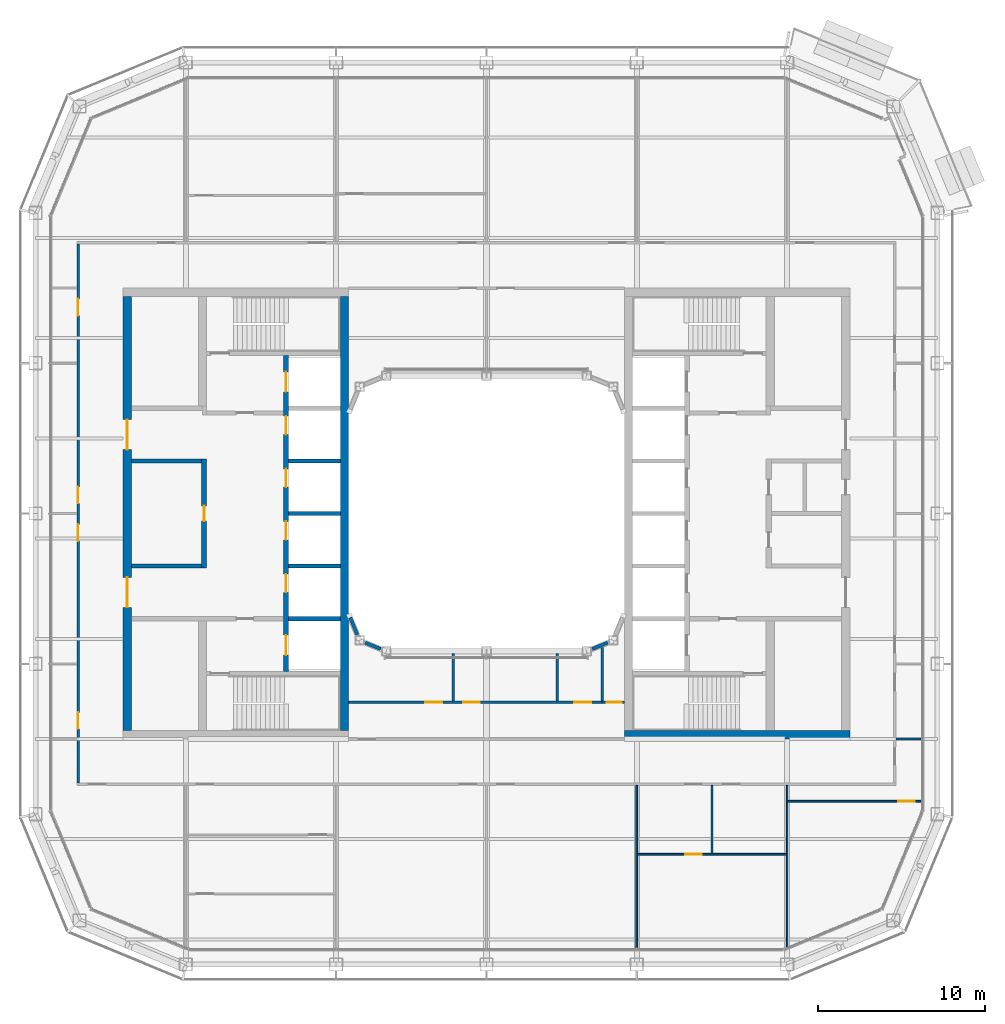
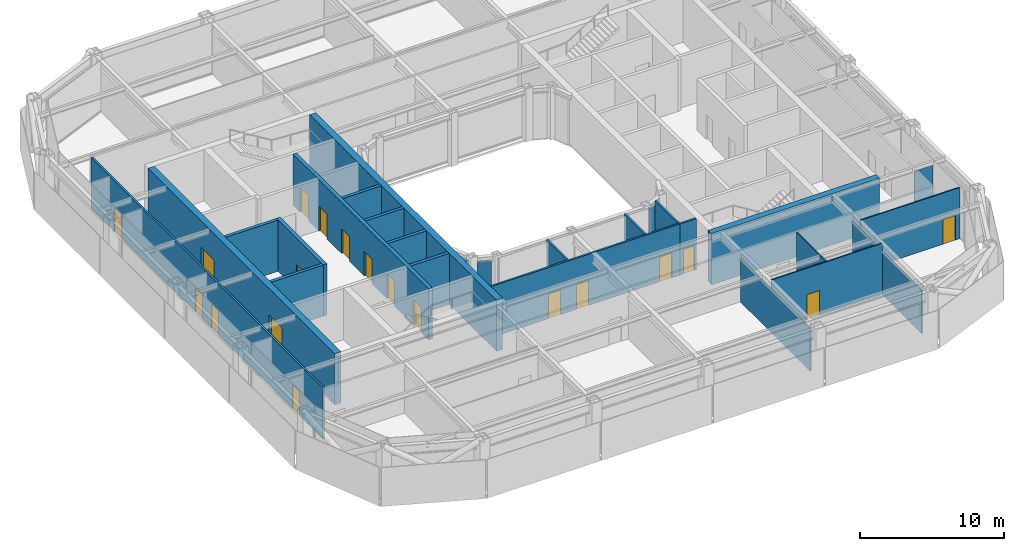
# One storey, part 13 of 23: 26 walls, 19 doors, 19 openings.
"""IFC4 building model written with IfcOpenShell, lengths in metres."""

from ifc_helpers import new_model, si_unit, direction, frame, frame_2d, origin, place, context, subcontext, project, spatial, rectangle, extrude, material, layer, layer_set, type_object, element, fill, save


model = new_model("IFC4")

# Units and contexts
model_context = context("Model", 3, precision=1e-05, world=origin(), true_north=direction((0.0, 1.0)))
body_context = subcontext(model_context, "Body", "Model", "MODEL_VIEW")
ifc_project = project(units=[si_unit("LENGTHUNIT", "METRE"), si_unit("AREAUNIT", "SQUARE_METRE"), si_unit("VOLUMEUNIT", "CUBIC_METRE"), si_unit("PLANEANGLEUNIT", "RADIAN"), si_unit("MASSUNIT", "GRAM", prefix="KILO")], contexts=[model_context])

# Site, building, storey
site_placement = place(None, origin())
site = spatial("IfcSite", under=ifc_project, at=site_placement, CompositionType="ELEMENT")
building_placement = place(site_placement, origin())
building = spatial("IfcBuilding", under=site, at=building_placement, Name="Siwar Civic Tower", CompositionType="ELEMENT")
storey_placement = place(building_placement, frame((0.0, 0.0, 260.199951171875)))
storey = spatial("IfcBuildingStorey", under=building, at=storey_placement, Name="L56", CompositionType="ELEMENT", Elevation=260.199951171875)

# Wall, opening, door
ifc_material_1 = material(Name="Gypsum board on steel studs", Category="steel")
ifc_layer_1 = layer(ifc_material_1, 0.14990234375)
ifc_layer_set_1 = layer_set([ifc_layer_1], Name="Gypsum board on steel studs")
wall_type_1 = type_object("IfcWallType", Name="COMPARTMENT PARTITION 150 EI 60", PredefinedType="PARTITIONING", material=ifc_layer_set_1)
wall_1_placement = place(storey_placement, frame((6.919921875, -11.300048828125, 0.0), z_axis=(0.0, 0.0, 1.0), x_axis=(1.0, 0.0, 0.0)))
wall_1 = element("IfcWall", 1, at=wall_1_placement, inside=storey, type_object=wall_type_1, Name="L56/wall/P10", PredefinedType="PARTITIONING", context=body_context, shape_type="SweptSolid", body=[
    extrude(rectangle(XDim=1.330078125, YDim=0.14990234375, at=frame_2d((0.6650390625, 0.0))), origin(), (0.0, 0.0, 1.0), 4.35009765625),
])
opening_1_placement = place(wall_1_placement, frame((0.280029296875, 0.0, 0.0)))
opening_1 = element("IfcOpeningElement", 2, at=opening_1_placement, cuts=wall_1, Name="Opening D4", PredefinedType="OPENING", context=body_context, shape_type="SweptSolid", body=[
    extrude(rectangle(XDim=0.89990234375, YDim=2.10009765625, at=frame_2d((0.449951171875, 1.050048828125))), frame((0.0, 0.0849609375, 0.0), z_axis=(0.0, -1.0, 0.0), x_axis=(1.0, 0.0, 0.0)), (0.0, 0.0, 1.0), 0.169921875),
])
ifc_material_2 = material(Name="Timber, painted", Category="wood")
door_type_1 = type_object("IfcDoorType", Name="DOOR 900 X 2100 FD60", OperationType="SINGLE_SWING_LEFT", PredefinedType="DOOR", material=ifc_material_2)
door_1_placement = place(opening_1_placement, origin())
door_1 = element("IfcDoor", 3, at=door_1_placement, inside=storey, type_object=door_type_1, Name="L56-D34", OperationType="SINGLE_SWING_RIGHT", OverallHeight=2.10009765625, OverallWidth=0.89990234375, PredefinedType="DOOR", context=body_context, shape_type="SweptSolid", body=[
    extrude(rectangle(XDim=0.89990234375, YDim=2.10009765625, at=frame_2d((0.449951171875, 1.050048828125))), frame((0.0, 0.02490234375, 0.0), z_axis=(0.0, -1.0, 0.0), x_axis=(1.0, 0.0, 0.0)), (0.0, 0.0, 1.0), 0.050048828125),
])
fill(opening_1, door_1)

# Walls
wall_2_placement = place(storey_placement, frame((6.919921875, -11.22509765625, 0.0), z_axis=(0.0, 0.0, 1.0), x_axis=(0.0, 1.0, 0.0)))
element("IfcWall", 4, at=wall_2_placement, inside=storey, type_object=wall_type_1, Name="L56/wall/P33", PredefinedType="PARTITIONING", context=body_context, shape_type="SweptSolid", body=[
    extrude(rectangle(XDim=3.196044921875, YDim=0.14990234375, at=frame_2d((1.59814453125, 0.0))), origin(), (0.0, 0.0, 1.0), 4.35009765625),
])
ifc_material_3 = material(Name="Concrete C60/75", Category="concrete")
ifc_layer_2 = layer(ifc_material_3, 0.25)
ifc_layer_set_2 = layer_set([ifc_layer_2], Name="Concrete C60/75")
wall_type_2 = type_object("IfcWallType", Name="CORE-WALL-RC250", PredefinedType="SHEAR", material=ifc_layer_set_2)
for number, where, z_axis, x_axis, name in (
    (5, (-17.050048828125, 3.14990234375, 0.0), (0.0, 0.0, 1.0), (-1.0, 0.0, 0.0), "Core wall W"),
    (6, (-17.050048828125, -3.14990234375, 0.0), (0.0, 0.0, 1.0), (-1.0, 0.0, 0.0), "Core wall W"),
):
    element("IfcWall", number, at=place(storey_placement, frame(where, z_axis=z_axis, x_axis=x_axis)), inside=storey, type_object=wall_type_2, Name=name, PredefinedType="SHEAR", context=body_context, shape_type="SweptSolid", body=[
        extrude(rectangle(XDim=4.199951171875, YDim=0.25, at=frame_2d((2.10009765625, 0.0))), origin(), (0.0, 0.0, 1.0), 4.35009765625),
    ])
for number, where, z_axis, x_axis, name in (
    (7, (-8.75, 0.0, 0.0), (0.0, 0.0, 1.0), (-1.0, 0.0, 0.0), "Core wall W"),
    (8, (-8.75, 3.14990234375, 0.0), (0.0, 0.0, 1.0), (-1.0, 0.0, 0.0), "Core wall W"),
    (9, (-8.75, -3.14990234375, 0.0), (0.0, 0.0, 1.0), (-1.0, 0.0, 0.0), "Core wall W"),
    (10, (-8.75, -6.300048828125, 0.0), (0.0, 0.0, 1.0), (-1.0, 0.0, 0.0), "Core wall W"),
):
    element("IfcWall", number, at=place(storey_placement, frame(where, z_axis=z_axis, x_axis=x_axis)), inside=storey, type_object=wall_type_2, Name=name, PredefinedType="SHEAR", context=body_context, shape_type="SweptSolid", body=[
        extrude(rectangle(XDim=3.10009765625, YDim=0.25, at=frame_2d((1.550048828125, 0.0))), origin(), (0.0, 0.0, 1.0), 4.35009765625),
    ])

# Wall, openings, doors
ifc_material_4 = material(Name="Concrete C60/75", Category="concrete")
ifc_layer_3 = layer(ifc_material_4, 0.300048828125)
ifc_layer_set_3 = layer_set([ifc_layer_3], Name="Concrete C60/75")
wall_type_3 = type_object("IfcWallType", Name="CORE-WALL-RC300", PredefinedType="SHEAR", material=ifc_layer_set_3)
wall_3_placement = place(storey_placement, frame((-12.0, -9.449951171875, 0.0), z_axis=(0.0, 0.0, 1.0), x_axis=(0.0, 1.0, 0.0)))
wall_3 = element("IfcWall", 11, at=wall_3_placement, inside=storey, type_object=wall_type_3, Name="Core wall W", PredefinedType="SHEAR", context=body_context, shape_type="SweptSolid", body=[
    extrude(rectangle(XDim=18.89990234375, YDim=0.300048828125, at=frame_2d((9.449951171875, 0.0))), origin(), (0.0, 0.0, 1.0), 4.35009765625),
])
opening_2_placement = place(wall_3_placement, frame((4.72509765625, 0.0, 0.0)))
opening_2 = element("IfcOpeningElement", 12, at=opening_2_placement, cuts=wall_3, Name="Opening L56-CW07", PredefinedType="OPENING", context=body_context, shape_type="SweptSolid", body=[
    extrude(rectangle(XDim=1.10009765625, YDim=2.10009765625, at=frame_2d((0.550048828125, 1.050048828125))), frame((0.0, 0.16015625, 0.0), z_axis=(0.0, -1.0, 0.0), x_axis=(1.0, 0.0, 0.0)), (0.0, 0.0, 1.0), 0.320068359375),
])
opening_3_placement = place(wall_3_placement, frame((7.875, 0.0, 0.0)))
opening_3 = element("IfcOpeningElement", 13, at=opening_3_placement, cuts=wall_3, Name="Opening L56-CW08", PredefinedType="OPENING", context=body_context, shape_type="SweptSolid", body=[
    extrude(rectangle(XDim=1.10009765625, YDim=2.10009765625, at=frame_2d((0.550048828125, 1.050048828125))), frame((0.0, 0.16015625, 0.0), z_axis=(0.0, -1.0, 0.0), x_axis=(1.0, 0.0, 0.0)), (0.0, 0.0, 1.0), 0.320068359375),
])
opening_4_placement = place(wall_3_placement, frame((11.02490234375, 0.0, 0.0)))
opening_4 = element("IfcOpeningElement", 14, at=opening_4_placement, cuts=wall_3, Name="Opening L56-CW09", PredefinedType="OPENING", context=body_context, shape_type="SweptSolid", body=[
    extrude(rectangle(XDim=1.10009765625, YDim=2.10009765625, at=frame_2d((0.550048828125, 1.050048828125))), frame((0.0, 0.16015625, 0.0), z_axis=(0.0, -1.0, 0.0), x_axis=(1.0, 0.0, 0.0)), (0.0, 0.0, 1.0), 0.320068359375),
])
opening_5_placement = place(wall_3_placement, frame((14.175048828125, 0.0, 0.0)))
opening_5 = element("IfcOpeningElement", 15, at=opening_5_placement, cuts=wall_3, Name="Opening L56-CW10", PredefinedType="OPENING", context=body_context, shape_type="SweptSolid", body=[
    extrude(rectangle(XDim=1.10009765625, YDim=2.10009765625, at=frame_2d((0.550048828125, 1.050048828125))), frame((0.0, 0.16015625, 0.0), z_axis=(0.0, -1.0, 0.0), x_axis=(1.0, 0.0, 0.0)), (0.0, 0.0, 1.0), 0.320068359375),
])
opening_6_placement = place(wall_3_placement, frame((16.72509765625, 0.0, 0.0)))
opening_6 = element("IfcOpeningElement", 16, at=opening_6_placement, cuts=wall_3, Name="Opening L56-CW11", PredefinedType="OPENING", context=body_context, shape_type="SweptSolid", body=[
    extrude(rectangle(XDim=1.199951171875, YDim=2.10009765625, at=frame_2d((0.60009765625, 1.050048828125))), frame((0.0, 0.16015625, 0.0), z_axis=(0.0, -1.0, 0.0), x_axis=(1.0, 0.0, 0.0)), (0.0, 0.0, 1.0), 0.320068359375),
])
opening_7_placement = place(wall_3_placement, frame((0.97509765625, 0.0, 0.0)))
opening_7 = element("IfcOpeningElement", 17, at=opening_7_placement, cuts=wall_3, Name="Opening L56-CW12", PredefinedType="OPENING", context=body_context, shape_type="SweptSolid", body=[
    extrude(rectangle(XDim=1.199951171875, YDim=2.10009765625, at=frame_2d((0.60009765625, 1.050048828125))), frame((0.0, 0.16015625, 0.0), z_axis=(0.0, -1.0, 0.0), x_axis=(1.0, 0.0, 0.0)), (0.0, 0.0, 1.0), 0.320068359375),
])
ifc_material_5 = material(Name="Steel door leaf", Category="steel")
door_type_2 = type_object("IfcDoorType", Name="CORE-DOOR-LD", OperationType="DOUBLE_DOOR_SLIDING", PredefinedType="DOOR", material=ifc_material_5)
door_2_placement = place(opening_2_placement, origin())
door_2 = element("IfcDoor", 18, at=door_2_placement, inside=storey, type_object=door_type_2, Name="Landing door HR1 L56-CW07", OperationType="DOUBLE_DOOR_SLIDING", OverallHeight=2.10009765625, OverallWidth=1.10009765625, PredefinedType="DOOR", context=body_context, shape_type="SweptSolid", body=[
    extrude(rectangle(XDim=1.10009765625, YDim=2.10009765625, at=frame_2d((0.550048828125, 1.050048828125))), frame((0.0, 0.02490234375, 0.0), z_axis=(0.0, -1.0, 0.0), x_axis=(1.0, 0.0, 0.0)), (0.0, 0.0, 1.0), 0.050048828125),
])
fill(opening_2, door_2)
door_3_placement = place(opening_3_placement, origin())
door_3 = element("IfcDoor", 19, at=door_3_placement, inside=storey, type_object=door_type_2, Name="Landing door HR2 L56-CW08", OperationType="DOUBLE_DOOR_SLIDING", OverallHeight=2.10009765625, OverallWidth=1.10009765625, PredefinedType="DOOR", context=body_context, shape_type="SweptSolid", body=[
    extrude(rectangle(XDim=1.10009765625, YDim=2.10009765625, at=frame_2d((0.550048828125, 1.050048828125))), frame((0.0, 0.02490234375, 0.0), z_axis=(0.0, -1.0, 0.0), x_axis=(1.0, 0.0, 0.0)), (0.0, 0.0, 1.0), 0.050048828125),
])
fill(opening_3, door_3)
door_4_placement = place(opening_4_placement, origin())
door_4 = element("IfcDoor", 20, at=door_4_placement, inside=storey, type_object=door_type_2, Name="Landing door HR3 L56-CW09", OperationType="DOUBLE_DOOR_SLIDING", OverallHeight=2.10009765625, OverallWidth=1.10009765625, PredefinedType="DOOR", context=body_context, shape_type="SweptSolid", body=[
    extrude(rectangle(XDim=1.10009765625, YDim=2.10009765625, at=frame_2d((0.550048828125, 1.050048828125))), frame((0.0, 0.02490234375, 0.0), z_axis=(0.0, -1.0, 0.0), x_axis=(1.0, 0.0, 0.0)), (0.0, 0.0, 1.0), 0.050048828125),
])
fill(opening_4, door_4)
door_5_placement = place(opening_5_placement, origin())
door_5 = element("IfcDoor", 21, at=door_5_placement, inside=storey, type_object=door_type_2, Name="Landing door HR4 L56-CW10", OperationType="DOUBLE_DOOR_SLIDING", OverallHeight=2.10009765625, OverallWidth=1.10009765625, PredefinedType="DOOR", context=body_context, shape_type="SweptSolid", body=[
    extrude(rectangle(XDim=1.10009765625, YDim=2.10009765625, at=frame_2d((0.550048828125, 1.050048828125))), frame((0.0, 0.02490234375, 0.0), z_axis=(0.0, -1.0, 0.0), x_axis=(1.0, 0.0, 0.0)), (0.0, 0.0, 1.0), 0.050048828125),
])
fill(opening_5, door_5)
ifc_material_6 = material(Name="Steel door leaf", Category="steel")
door_type_3 = type_object("IfcDoorType", Name="CORE-DOOR-LDW", OperationType="DOUBLE_DOOR_SLIDING", PredefinedType="DOOR", material=ifc_material_6)
door_6_placement = place(opening_6_placement, origin())
door_6 = element("IfcDoor", 22, at=door_6_placement, inside=storey, type_object=door_type_3, Name="Landing door FF1 L56-CW11", OperationType="DOUBLE_DOOR_SLIDING", OverallHeight=2.10009765625, OverallWidth=1.199951171875, PredefinedType="DOOR", context=body_context, shape_type="SweptSolid", body=[
    extrude(rectangle(XDim=1.199951171875, YDim=2.10009765625, at=frame_2d((0.60009765625, 1.050048828125))), frame((0.0, 0.02490234375, 0.0), z_axis=(0.0, -1.0, 0.0), x_axis=(1.0, 0.0, 0.0)), (0.0, 0.0, 1.0), 0.050048828125),
])
fill(opening_6, door_6)
door_7_placement = place(opening_7_placement, origin())
door_7 = element("IfcDoor", 23, at=door_7_placement, inside=storey, type_object=door_type_3, Name="Landing door SV1 L56-CW12", OperationType="DOUBLE_DOOR_SLIDING", OverallHeight=2.10009765625, OverallWidth=1.199951171875, PredefinedType="DOOR", context=body_context, shape_type="SweptSolid", body=[
    extrude(rectangle(XDim=1.199951171875, YDim=2.10009765625, at=frame_2d((0.60009765625, 1.050048828125))), frame((0.0, 0.02490234375, 0.0), z_axis=(0.0, -1.0, 0.0), x_axis=(1.0, 0.0, 0.0)), (0.0, 0.0, 1.0), 0.050048828125),
])
fill(opening_7, door_7)

# Wall, opening, door
wall_4_placement = place(storey_placement, frame((-16.89990234375, -3.27490234375, 0.0), z_axis=(0.0, 0.0, 1.0), x_axis=(0.0, 1.0, 0.0)))
wall_4 = element("IfcWall", 24, at=wall_4_placement, inside=storey, type_object=wall_type_3, Name="Core wall W", PredefinedType="SHEAR", context=body_context, shape_type="SweptSolid", body=[
    extrude(rectangle(XDim=6.5498046875, YDim=0.300048828125, at=frame_2d((3.27490234375, 0.0))), origin(), (0.0, 0.0, 1.0), 4.35009765625),
])
opening_8_placement = place(wall_4_placement, frame((2.824951171875, 0.0, 0.0)))
opening_8 = element("IfcOpeningElement", 25, at=opening_8_placement, cuts=wall_4, Name="Opening L56-CW13", PredefinedType="OPENING", context=body_context, shape_type="SweptSolid", body=[
    extrude(rectangle(XDim=0.89990234375, YDim=2.10009765625, at=frame_2d((0.449951171875, 1.050048828125))), frame((0.0, 0.16015625, 0.0), z_axis=(0.0, -1.0, 0.0), x_axis=(1.0, 0.0, 0.0)), (0.0, 0.0, 1.0), 0.320068359375),
])
ifc_material_7 = material(Name="Steel door leaf", Category="steel")
door_type_4 = type_object("IfcDoorType", Name="CORE-DOOR-ROOM", OperationType="SINGLE_SWING_LEFT", PredefinedType="DOOR", material=ifc_material_7)
door_8_placement = place(opening_8_placement, origin())
door_8 = element("IfcDoor", 26, at=door_8_placement, inside=storey, type_object=door_type_4, Name="Core room door L56-CW13", OperationType="SINGLE_SWING_RIGHT", OverallHeight=2.10009765625, OverallWidth=0.89990234375, PredefinedType="DOOR", context=body_context, shape_type="SweptSolid", body=[
    extrude(rectangle(XDim=0.89990234375, YDim=2.10009765625, at=frame_2d((0.449951171875, 1.050048828125))), frame((0.0, 0.02490234375, 0.0), z_axis=(0.0, -1.0, 0.0), x_axis=(1.0, 0.0, 0.0)), (0.0, 0.0, 1.0), 0.050048828125),
])
fill(opening_8, door_8)

# Wall, openings, doors
ifc_material_8 = material(Name="Concrete C60/75", Category="concrete")
ifc_layer_4 = layer(ifc_material_8, 0.5)
ifc_layer_set_4 = layer_set([ifc_layer_4], Name="Concrete C60/75")
wall_type_4 = type_object("IfcWallType", Name="CORE-WALL-RC500", PredefinedType="SHEAR", material=ifc_layer_set_4)
wall_5_placement = place(storey_placement, frame((-21.5, -13.0, 0.0), z_axis=(0.0, 0.0, 1.0), x_axis=(0.0, 1.0, 0.0)))
wall_5 = element("IfcWall", 27, at=wall_5_placement, inside=storey, type_object=wall_type_4, Name="Core wall W", PredefinedType="SHEAR", context=body_context, shape_type="SweptSolid", body=[
    extrude(rectangle(XDim=26.0, YDim=0.5, at=frame_2d((13.0, 0.0))), origin(), (0.0, 0.0, 1.0), 4.35009765625),
])
opening_9_placement = place(wall_5_placement, frame((16.824951171875, 0.0, 0.0)))
opening_9 = element("IfcOpeningElement", 28, at=opening_9_placement, cuts=wall_5, Name="Opening L56-CW05", PredefinedType="OPENING", context=body_context, shape_type="SweptSolid", body=[
    extrude(rectangle(XDim=1.800048828125, YDim=2.10009765625, at=frame_2d((0.89990234375, 1.050048828125))), frame((0.0, 0.260009765625, 0.0), z_axis=(0.0, -1.0, 0.0), x_axis=(1.0, 0.0, 0.0)), (0.0, 0.0, 1.0), 0.52001953125),
])
opening_10_placement = place(wall_5_placement, frame((7.375, 0.0, 0.0)))
opening_10 = element("IfcOpeningElement", 29, at=opening_10_placement, cuts=wall_5, Name="Opening L56-CW06", PredefinedType="OPENING", context=body_context, shape_type="SweptSolid", body=[
    extrude(rectangle(XDim=1.800048828125, YDim=2.10009765625, at=frame_2d((0.89990234375, 1.050048828125))), frame((0.0, 0.260009765625, 0.0), z_axis=(0.0, -1.0, 0.0), x_axis=(1.0, 0.0, 0.0)), (0.0, 0.0, 1.0), 0.52001953125),
])
ifc_material_9 = material(Name="Steel door leaf", Category="steel")
door_type_5 = type_object("IfcDoorType", Name="CORE-DOOR-PORT", OperationType="DOUBLE_DOOR_DOUBLE_SWING", PredefinedType="DOOR", material=ifc_material_9)
door_9_placement = place(opening_9_placement, origin())
door_9 = element("IfcDoor", 30, at=door_9_placement, inside=storey, type_object=door_type_5, Name="Core entrance door L56-CW05", OperationType="DOUBLE_DOOR_DOUBLE_SWING", OverallHeight=2.10009765625, OverallWidth=1.800048828125, PredefinedType="DOOR", context=body_context, shape_type="SweptSolid", body=[
    extrude(rectangle(XDim=1.800048828125, YDim=2.10009765625, at=frame_2d((0.89990234375, 1.050048828125))), frame((0.0, 0.02490234375, 0.0), z_axis=(0.0, -1.0, 0.0), x_axis=(1.0, 0.0, 0.0)), (0.0, 0.0, 1.0), 0.050048828125),
])
fill(opening_9, door_9)
door_10_placement = place(opening_10_placement, origin())
door_10 = element("IfcDoor", 31, at=door_10_placement, inside=storey, type_object=door_type_5, Name="Core entrance door L56-CW06", OperationType="DOUBLE_DOOR_DOUBLE_SWING", OverallHeight=2.10009765625, OverallWidth=1.800048828125, PredefinedType="DOOR", context=body_context, shape_type="SweptSolid", body=[
    extrude(rectangle(XDim=1.800048828125, YDim=2.10009765625, at=frame_2d((0.89990234375, 1.050048828125))), frame((0.0, 0.02490234375, 0.0), z_axis=(0.0, -1.0, 0.0), x_axis=(1.0, 0.0, 0.0)), (0.0, 0.0, 1.0), 0.050048828125),
])
fill(opening_10, door_10)

# Walls
wall_6_placement = place(storey_placement, frame((8.25, -13.25, 0.0), z_axis=(0.0, 0.0, 1.0), x_axis=(1.0, 0.0, 0.0)))
element("IfcWall", 32, at=wall_6_placement, inside=storey, type_object=wall_type_4, Name="Core wall E", PredefinedType="SHEAR", context=body_context, shape_type="SweptSolid", body=[
    extrude(rectangle(XDim=13.5, YDim=0.5, at=frame_2d((6.75, 0.0))), origin(), (0.0, 0.0, 1.0), 4.35009765625),
])
ifc_material_10 = material(Name="Concrete C60/75", Category="concrete")
ifc_layer_5 = layer(ifc_material_10, 0.5)
ifc_layer_set_5 = layer_set([ifc_layer_5], Name="Concrete C60/75")
wall_type_5 = type_object("IfcWallType", Name="CORE-WALL-RC500-EXT", PredefinedType="SHEAR", material=ifc_layer_set_5)
wall_7_placement = place(storey_placement, frame((-8.5, -13.0, 0.0), z_axis=(0.0, 0.0, 1.0), x_axis=(0.0, 1.0, 0.0)))
element("IfcWall", 33, at=wall_7_placement, inside=storey, type_object=wall_type_5, Name="Core wall W", PredefinedType="SHEAR", context=body_context, shape_type="SweptSolid", body=[
    extrude(rectangle(XDim=26.0, YDim=0.5, at=frame_2d((13.0, 0.0))), origin(), (0.0, 0.0, 1.0), 4.35009765625),
])

# Wall, openings, doors
ifc_material_11 = material(Name="Gypsum board on steel studs", Category="steel")
ifc_layer_6 = layer(ifc_material_11, 0.14990234375)
ifc_layer_set_6 = layer_set([ifc_layer_6], Name="Gypsum board on steel studs")
wall_type_6 = type_object("IfcWallType", Name="CORRIDOR PARTITION 150 EI 30", PredefinedType="PARTITIONING", material=ifc_layer_set_6)
wall_8_placement = place(storey_placement, frame((-8.25, -11.300048828125, 0.0), z_axis=(0.0, 0.0, 1.0), x_axis=(1.0, 0.0, 0.0)))
wall_8 = element("IfcWall", 34, at=wall_8_placement, inside=storey, type_object=wall_type_6, Name="L56/wall/P09", PredefinedType="PARTITIONING", context=body_context, shape_type="SweptSolid", body=[
    extrude(rectangle(XDim=15.169921875, YDim=0.14990234375, at=frame_2d((7.5849609375, 0.0))), origin(), (0.0, 0.0, 1.0), 4.35009765625),
])
opening_11_placement = place(wall_8_placement, frame((4.60009765625, 0.0, 0.0)))
opening_11 = element("IfcOpeningElement", 35, at=opening_11_placement, cuts=wall_8, Name="Opening D3", PredefinedType="OPENING", context=body_context, shape_type="SweptSolid", body=[
    extrude(rectangle(XDim=1.0, YDim=2.10009765625, at=frame_2d((0.5, 1.050048828125))), frame((0.0, 0.0849609375, 0.0), z_axis=(0.0, -1.0, 0.0), x_axis=(1.0, 0.0, 0.0)), (0.0, 0.0, 1.0), 0.169921875),
])
opening_12_placement = place(wall_8_placement, frame((6.85009765625, 0.0, 0.0)))
opening_12 = element("IfcOpeningElement", 36, at=opening_12_placement, cuts=wall_8, Name="Opening D3", PredefinedType="OPENING", context=body_context, shape_type="SweptSolid", body=[
    extrude(rectangle(XDim=1.0, YDim=2.10009765625, at=frame_2d((0.5, 1.050048828125))), frame((0.0, 0.0849609375, 0.0), z_axis=(0.0, -1.0, 0.0), x_axis=(1.0, 0.0, 0.0)), (0.0, 0.0, 1.0), 0.169921875),
])
opening_13_placement = place(wall_8_placement, frame((13.52001953125, 0.0, 0.0)))
opening_13 = element("IfcOpeningElement", 37, at=opening_13_placement, cuts=wall_8, Name="Opening D3", PredefinedType="OPENING", context=body_context, shape_type="SweptSolid", body=[
    extrude(rectangle(XDim=1.0, YDim=2.10009765625, at=frame_2d((0.5, 1.050048828125))), frame((0.0, 0.0849609375, 0.0), z_axis=(0.0, -1.0, 0.0), x_axis=(1.0, 0.0, 0.0)), (0.0, 0.0, 1.0), 0.169921875),
])
ifc_material_12 = material(Name="Timber, painted", Category="wood")
door_type_6 = type_object("IfcDoorType", Name="DOOR 1000 X 2100 WC", OperationType="SINGLE_SWING_LEFT", PredefinedType="DOOR", material=ifc_material_12)
door_11_placement = place(opening_11_placement, origin())
door_11 = element("IfcDoor", 38, at=door_11_placement, inside=storey, type_object=door_type_6, Name="L56-D31", OperationType="SINGLE_SWING_LEFT", OverallHeight=2.10009765625, OverallWidth=1.0, PredefinedType="DOOR", context=body_context, shape_type="SweptSolid", body=[
    extrude(rectangle(XDim=1.0, YDim=2.10009765625, at=frame_2d((0.5, 1.050048828125))), frame((0.0, 0.02490234375, 0.0), z_axis=(0.0, -1.0, 0.0), x_axis=(1.0, 0.0, 0.0)), (0.0, 0.0, 1.0), 0.050048828125),
])
fill(opening_11, door_11)
door_12_placement = place(opening_12_placement, origin())
door_12 = element("IfcDoor", 39, at=door_12_placement, inside=storey, type_object=door_type_6, Name="L56-D32", OperationType="SINGLE_SWING_RIGHT", OverallHeight=2.10009765625, OverallWidth=1.0, PredefinedType="DOOR", context=body_context, shape_type="SweptSolid", body=[
    extrude(rectangle(XDim=1.0, YDim=2.10009765625, at=frame_2d((0.5, 1.050048828125))), frame((0.0, 0.02490234375, 0.0), z_axis=(0.0, -1.0, 0.0), x_axis=(1.0, 0.0, 0.0)), (0.0, 0.0, 1.0), 0.050048828125),
])
fill(opening_12, door_12)
door_13_placement = place(opening_13_placement, origin())
door_13 = element("IfcDoor", 40, at=door_13_placement, inside=storey, type_object=door_type_6, Name="L56-D33", OperationType="SINGLE_SWING_LEFT", OverallHeight=2.10009765625, OverallWidth=1.0, PredefinedType="DOOR", context=body_context, shape_type="SweptSolid", body=[
    extrude(rectangle(XDim=1.0, YDim=2.10009765625, at=frame_2d((0.5, 1.050048828125))), frame((0.0, 0.02490234375, 0.0), z_axis=(0.0, -1.0, 0.0), x_axis=(1.0, 0.0, 0.0)), (0.0, 0.0, 1.0), 0.050048828125),
])
fill(opening_13, door_13)

wall_9_placement = place(storey_placement, frame((-24.449951171875, -16.125, 0.0), z_axis=(0.0, 0.0, 1.0), x_axis=(0.0, 1.0, 0.0)))
wall_9 = element("IfcWall", 41, at=wall_9_placement, inside=storey, type_object=wall_type_6, Name="L56/wall/P23", PredefinedType="PARTITIONING", context=body_context, shape_type="SweptSolid", body=[
    extrude(rectangle(XDim=32.25, YDim=0.14990234375, at=frame_2d((16.125, 0.0))), origin(), (0.0, 0.0, 1.0), 4.35009765625),
])
opening_14_placement = place(wall_9_placement, frame((3.22509765625, 0.0, 0.0)))
opening_14 = element("IfcOpeningElement", 42, at=opening_14_placement, cuts=wall_9, Name="Opening D1", PredefinedType="OPENING", context=body_context, shape_type="SweptSolid", body=[
    extrude(rectangle(XDim=1.0, YDim=2.10009765625, at=frame_2d((0.5, 1.050048828125))), frame((0.0, 0.0849609375, 0.0), z_axis=(0.0, -1.0, 0.0), x_axis=(1.0, 0.0, 0.0)), (0.0, 0.0, 1.0), 0.169921875),
])
opening_15_placement = place(wall_9_placement, frame((14.47509765625, 0.0, 0.0)))
opening_15 = element("IfcOpeningElement", 43, at=opening_15_placement, cuts=wall_9, Name="Opening D1", PredefinedType="OPENING", context=body_context, shape_type="SweptSolid", body=[
    extrude(rectangle(XDim=1.0, YDim=2.10009765625, at=frame_2d((0.5, 1.050048828125))), frame((0.0, 0.0849609375, 0.0), z_axis=(0.0, -1.0, 0.0), x_axis=(1.0, 0.0, 0.0)), (0.0, 0.0, 1.0), 0.169921875),
])
opening_16_placement = place(wall_9_placement, frame((16.72509765625, 0.0, 0.0)))
opening_16 = element("IfcOpeningElement", 44, at=opening_16_placement, cuts=wall_9, Name="Opening D1", PredefinedType="OPENING", context=body_context, shape_type="SweptSolid", body=[
    extrude(rectangle(XDim=1.0, YDim=2.10009765625, at=frame_2d((0.5, 1.050048828125))), frame((0.0, 0.0849609375, 0.0), z_axis=(0.0, -1.0, 0.0), x_axis=(1.0, 0.0, 0.0)), (0.0, 0.0, 1.0), 0.169921875),
])
opening_17_placement = place(wall_9_placement, frame((27.97509765625, 0.0, 0.0)))
opening_17 = element("IfcOpeningElement", 45, at=opening_17_placement, cuts=wall_9, Name="Opening D1", PredefinedType="OPENING", context=body_context, shape_type="SweptSolid", body=[
    extrude(rectangle(XDim=1.0, YDim=2.10009765625, at=frame_2d((0.5, 1.050048828125))), frame((0.0, 0.0849609375, 0.0), z_axis=(0.0, -1.0, 0.0), x_axis=(1.0, 0.0, 0.0)), (0.0, 0.0, 1.0), 0.169921875),
])
ifc_material_13 = material(Name="Timber, painted", Category="wood")
door_type_7 = type_object("IfcDoorType", Name="DOOR 1000 X 2100 FD30", OperationType="SINGLE_SWING_LEFT", PredefinedType="DOOR", material=ifc_material_13)
door_14_placement = place(opening_14_placement, origin())
door_14 = element("IfcDoor", 46, at=door_14_placement, inside=storey, type_object=door_type_7, Name="L56-D20", OperationType="SINGLE_SWING_RIGHT", OverallHeight=2.10009765625, OverallWidth=1.0, PredefinedType="DOOR", context=body_context, shape_type="SweptSolid", body=[
    extrude(rectangle(XDim=1.0, YDim=2.10009765625, at=frame_2d((0.5, 1.050048828125))), frame((0.0, 0.02490234375, 0.0), z_axis=(0.0, -1.0, 0.0), x_axis=(1.0, 0.0, 0.0)), (0.0, 0.0, 1.0), 0.050048828125),
])
fill(opening_14, door_14)
door_15_placement = place(opening_15_placement, origin())
door_15 = element("IfcDoor", 47, at=door_15_placement, inside=storey, type_object=door_type_7, Name="L56-D21", OperationType="SINGLE_SWING_LEFT", OverallHeight=2.10009765625, OverallWidth=1.0, PredefinedType="DOOR", context=body_context, shape_type="SweptSolid", body=[
    extrude(rectangle(XDim=1.0, YDim=2.10009765625, at=frame_2d((0.5, 1.050048828125))), frame((0.0, 0.02490234375, 0.0), z_axis=(0.0, -1.0, 0.0), x_axis=(1.0, 0.0, 0.0)), (0.0, 0.0, 1.0), 0.050048828125),
])
fill(opening_15, door_15)
door_16_placement = place(opening_16_placement, origin())
door_16 = element("IfcDoor", 48, at=door_16_placement, inside=storey, type_object=door_type_7, Name="L56-D22", OperationType="SINGLE_SWING_RIGHT", OverallHeight=2.10009765625, OverallWidth=1.0, PredefinedType="DOOR", context=body_context, shape_type="SweptSolid", body=[
    extrude(rectangle(XDim=1.0, YDim=2.10009765625, at=frame_2d((0.5, 1.050048828125))), frame((0.0, 0.02490234375, 0.0), z_axis=(0.0, -1.0, 0.0), x_axis=(1.0, 0.0, 0.0)), (0.0, 0.0, 1.0), 0.050048828125),
])
fill(opening_16, door_16)
door_17_placement = place(opening_17_placement, origin())
door_17 = element("IfcDoor", 49, at=door_17_placement, inside=storey, type_object=door_type_7, Name="L56-D23", OperationType="SINGLE_SWING_LEFT", OverallHeight=2.10009765625, OverallWidth=1.0, PredefinedType="DOOR", context=body_context, shape_type="SweptSolid", body=[
    extrude(rectangle(XDim=1.0, YDim=2.10009765625, at=frame_2d((0.5, 1.050048828125))), frame((0.0, 0.02490234375, 0.0), z_axis=(0.0, -1.0, 0.0), x_axis=(1.0, 0.0, 0.0)), (0.0, 0.0, 1.0), 0.050048828125),
])
fill(opening_17, door_17)

# Walls
for number, where, z_axis, x_axis, name in (
    (50, (-2.0, -11.22509765625, 0.0), (0.0, 0.0, 1.0), (0.0, 1.0, 0.0), "L56/wall/P28"),
    (51, (4.25, -11.22509765625, 0.0), (0.0, 0.0, 1.0), (0.0, 1.0, 0.0), "L56/wall/P32"),
):
    element("IfcWall", number, at=place(storey_placement, frame(where, z_axis=z_axis, x_axis=x_axis)), inside=storey, type_object=wall_type_6, Name=name, PredefinedType="PARTITIONING", context=body_context, shape_type="SweptSolid", body=[
        extrude(rectangle(XDim=2.85498046875, YDim=0.14990234375, at=frame_2d((1.427490234375, 0.0))), origin(), (0.0, 0.0, 1.0), 4.35009765625),
    ])
ifc_material_14 = material(Name="Aluminium clad insulated panel", Category="aluminium")
ifc_layer_7 = layer(ifc_material_14, 0.199951171875)
ifc_layer_set_7 = layer_set([ifc_layer_7], Name="Aluminium clad insulated panel")
wall_type_7 = type_object("IfcWallType", Name="ENV-WALL-WELL", PredefinedType="STANDARD", material=ifc_layer_set_7)
wall_10_placement = place(storey_placement, frame((6.33203125, -8.112548828125, 0.0), z_axis=(0.0, 0.0, 1.0), x_axis=(0.923859650767, 0.382731427616, 0.0)))
element("IfcWall", 52, at=wall_10_placement, inside=storey, type_object=wall_type_7, Name="Light well corner wall SE1", PredefinedType="STANDARD", context=body_context, shape_type="SweptSolid", body=[
    extrude(rectangle(XDim=1.00341796875, YDim=0.199951171875, at=frame_2d((0.501708984375, 0.0))), origin(), (0.0, 0.0, 1.0), 3.91796875),
])
wall_11_placement = place(storey_placement, frame((-8.154296875, -6.23095703125, 0.0), z_axis=(0.0, 0.0, 1.0), x_axis=(0.382635994082, -0.923899180665, 0.0)))
element("IfcWall", 53, at=wall_11_placement, inside=storey, type_object=wall_type_7, Name="Light well corner wall SW1", PredefinedType="STANDARD", context=body_context, shape_type="SweptSolid", body=[
    extrude(rectangle(XDim=1.11279296875, YDim=0.199951171875, at=frame_2d((0.556396484375, 0.0))), origin(), (0.0, 0.0, 1.0), 3.91796875),
])
wall_12_placement = place(storey_placement, frame((-7.259033203125, -7.728515625, 0.0), z_axis=(0.0, 0.0, 1.0), x_axis=(0.923859650767, -0.382731427616, 0.0)))
element("IfcWall", 54, at=wall_12_placement, inside=storey, type_object=wall_type_7, Name="Light well corner wall SW2", PredefinedType="STANDARD", context=body_context, shape_type="SweptSolid", body=[
    extrude(rectangle(XDim=1.00341796875, YDim=0.199951171875, at=frame_2d((0.501708984375, 0.0))), origin(), (0.0, 0.0, 1.0), 3.91796875),
])

# Wall, opening, door
ifc_material_15 = material(Name="Gypsum board on steel studs", Category="steel")
ifc_layer_8 = layer(ifc_material_15, 0.10009765625)
ifc_layer_set_8 = layer_set([ifc_layer_8], Name="Gypsum board on steel studs")
wall_type_8 = type_object("IfcWallType", Name="PARTITION 100 GYPSUM", PredefinedType="PARTITIONING", material=ifc_layer_set_8)
wall_13_placement = place(storey_placement, frame((9.050048828125, -20.39990234375, 0.0), z_axis=(0.0, 0.0, 1.0), x_axis=(1.0, 0.0, 0.0)))
wall_13 = element("IfcWall", 55, at=wall_13_placement, inside=storey, type_object=wall_type_8, Name="L56/wall/P02", PredefinedType="PARTITIONING", context=body_context, shape_type="SweptSolid", body=[
    extrude(rectangle(XDim=8.89990234375, YDim=0.10009765625, at=frame_2d((4.449951171875, 0.0))), origin(), (0.0, 0.0, 1.0), 4.35009765625),
])
opening_18_placement = place(wall_13_placement, frame((2.85009765625, 0.0, 0.0)))
opening_18 = element("IfcOpeningElement", 56, at=opening_18_placement, cuts=wall_13, Name="Opening D2", PredefinedType="OPENING", context=body_context, shape_type="SweptSolid", body=[
    extrude(rectangle(XDim=1.0, YDim=2.10009765625, at=frame_2d((0.5, 1.050048828125))), frame((0.0, 0.06005859375, 0.0), z_axis=(0.0, -1.0, 0.0), x_axis=(1.0, 0.0, 0.0)), (0.0, 0.0, 1.0), 0.1201171875),
])
ifc_material_16 = material(Name="Timber, painted", Category="wood")
door_type_8 = type_object("IfcDoorType", Name="DOOR 1000 X 2100", OperationType="SINGLE_SWING_LEFT", PredefinedType="DOOR", material=ifc_material_16)
door_18_placement = place(opening_18_placement, origin())
door_18 = element("IfcDoor", 57, at=door_18_placement, inside=storey, type_object=door_type_8, Name="L56-D14", OperationType="SINGLE_SWING_RIGHT", OverallHeight=2.10009765625, OverallWidth=1.0, PredefinedType="DOOR", context=body_context, shape_type="SweptSolid", body=[
    extrude(rectangle(XDim=1.0, YDim=2.10009765625, at=frame_2d((0.5, 1.050048828125))), frame((0.0, 0.02490234375, 0.0), z_axis=(0.0, -1.0, 0.0), x_axis=(1.0, 0.0, 0.0)), (0.0, 0.0, 1.0), 0.050048828125),
])
fill(opening_18, door_18)

wall_14_placement = place(storey_placement, frame((18.050048828125, -17.22802734375, 0.0), z_axis=(0.0, 0.0, 1.0), x_axis=(1.0, 0.0, 0.0)))
wall_14 = element("IfcWall", 58, at=wall_14_placement, inside=storey, type_object=wall_type_8, Name="L56/wall/P04", PredefinedType="PARTITIONING", context=body_context, shape_type="SweptSolid", body=[
    extrude(rectangle(XDim=7.9599609375, YDim=0.10009765625, at=frame_2d((3.97998046875, 0.0))), origin(), (0.0, 0.0, 1.0), 4.35009765625),
])
opening_19_placement = place(wall_14_placement, frame((6.60009765625, 0.0, 0.0)))
opening_19 = element("IfcOpeningElement", 59, at=opening_19_placement, cuts=wall_14, Name="Opening D2", PredefinedType="OPENING", context=body_context, shape_type="SweptSolid", body=[
    extrude(rectangle(XDim=1.0, YDim=2.10009765625, at=frame_2d((0.5, 1.050048828125))), frame((0.0, 0.06005859375, 0.0), z_axis=(0.0, -1.0, 0.0), x_axis=(1.0, 0.0, 0.0)), (0.0, 0.0, 1.0), 0.1201171875),
])
door_19_placement = place(opening_19_placement, origin())
door_19 = element("IfcDoor", 60, at=door_19_placement, inside=storey, type_object=door_type_8, Name="L56-D19", OperationType="SINGLE_SWING_RIGHT", OverallHeight=2.10009765625, OverallWidth=1.0, PredefinedType="DOOR", context=body_context, shape_type="SweptSolid", body=[
    extrude(rectangle(XDim=1.0, YDim=2.10009765625, at=frame_2d((0.5, 1.050048828125))), frame((0.0, 0.02490234375, 0.0), z_axis=(0.0, -1.0, 0.0), x_axis=(1.0, 0.0, 0.0)), (0.0, 0.0, 1.0), 0.050048828125),
])
fill(opening_19, door_19)

# Walls
wall_15_placement = place(storey_placement, frame((24.52490234375, -13.5, 0.0), z_axis=(0.0, 0.0, 1.0), x_axis=(1.0, 0.0, 0.0)))
element("IfcWall", 61, at=wall_15_placement, inside=storey, type_object=wall_type_8, Name="L56/wall/P07", PredefinedType="PARTITIONING", context=body_context, shape_type="SweptSolid", body=[
    extrude(rectangle(XDim=1.485107421875, YDim=0.10009765625, at=frame_2d((0.74267578125, 0.0))), origin(), (0.0, 0.0, 1.0), 3.949951171875),
])
wall_16_placement = place(storey_placement, frame((9.0, -26.010009765625, 0.0), z_axis=(0.0, 0.0, 1.0), x_axis=(0.0, 1.0, 0.0)))
element("IfcWall", 62, at=wall_16_placement, inside=storey, type_object=wall_type_8, Name="L56/wall/P34", PredefinedType="PARTITIONING", context=body_context, shape_type="SweptSolid", body=[
    extrude(rectangle(XDim=9.735107421875, YDim=0.10009765625, at=frame_2d((4.86767578125, 0.0))), origin(), (0.0, 0.0, 1.0), 3.650146484375),
])
wall_17_placement = place(storey_placement, frame((13.5, -20.35009765625, 0.0), z_axis=(0.0, 0.0, 1.0), x_axis=(0.0, 1.0, 0.0)))
element("IfcWall", 63, at=wall_17_placement, inside=storey, type_object=wall_type_8, Name="L56/wall/P36", PredefinedType="PARTITIONING", context=body_context, shape_type="SweptSolid", body=[
    extrude(rectangle(XDim=4.0751953125, YDim=0.10009765625, at=frame_2d((2.03759765625, 0.0))), origin(), (0.0, 0.0, 1.0), 4.35009765625),
])
wall_18_placement = place(storey_placement, frame((18.0, -25.927978515625, 0.0), z_axis=(0.0, 0.0, 1.0), x_axis=(0.0, 1.0, 0.0)))
element("IfcWall", 64, at=wall_18_placement, inside=storey, type_object=wall_type_8, Name="L56/wall/P37", PredefinedType="PARTITIONING", context=body_context, shape_type="SweptSolid", body=[
    extrude(rectangle(XDim=9.653076171875, YDim=0.10009765625, at=frame_2d((4.82666015625, 0.0))), origin(), (0.0, 0.0, 1.0), 3.650146484375),
])

save(model, "model.ifc")
